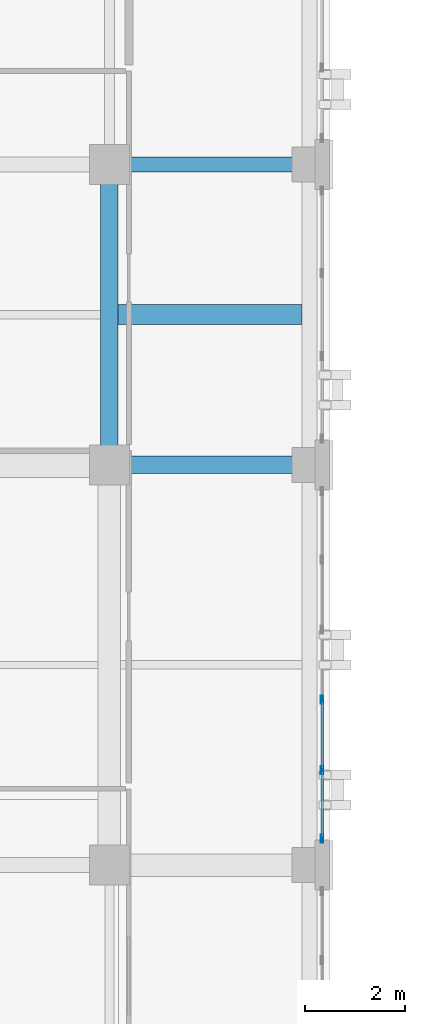
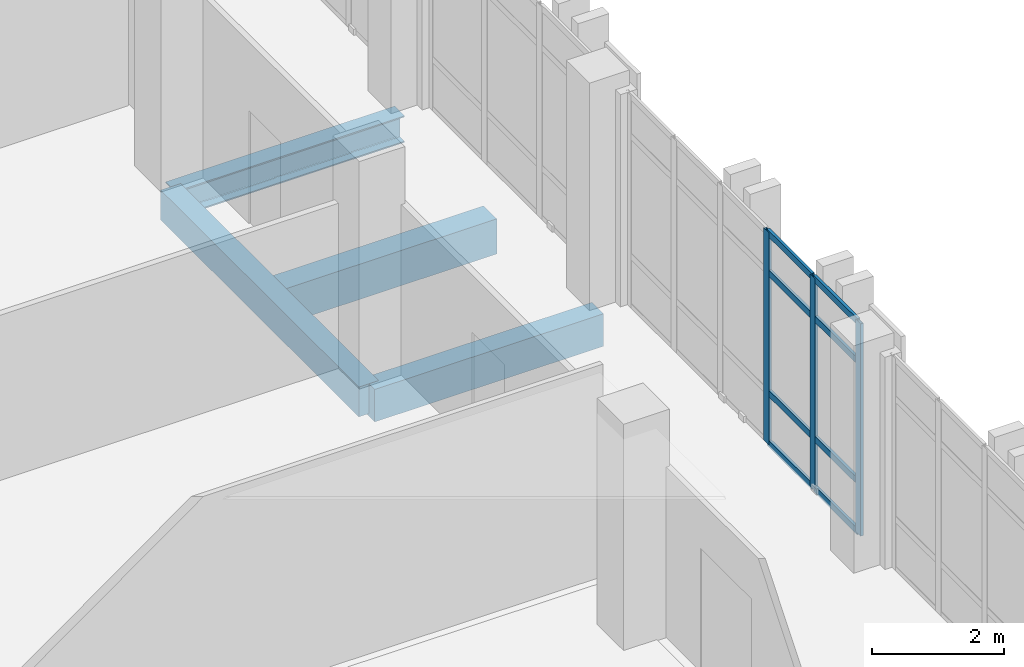
# One storey, part 70 of 165: 11 members, 4 beams, 1 element without a shape of its own.
"""IFC4 building model written with IfcOpenShell, lengths in metres."""

from ifc_helpers import new_model, si_unit, direction, frame, origin, origin_2d, place, context, subcontext, project, spatial, rectangle, hollow_rectangle, i_section, extrude, material, layer, layer_set, material_profile, profile_set, type_object, element, aggregate, save


model = new_model("IFC4")

# Units and contexts
model_context = context("Model", 3, precision=1e-05, world=origin(), true_north=direction((0.0, 1.0)))
body_context = subcontext(model_context, "Body", "Model", "MODEL_VIEW")
ifc_project = project(units=[si_unit("LENGTHUNIT", "METRE"), si_unit("AREAUNIT", "SQUARE_METRE"), si_unit("VOLUMEUNIT", "CUBIC_METRE"), si_unit("PLANEANGLEUNIT", "RADIAN"), si_unit("MASSUNIT", "GRAM", prefix="KILO")], contexts=[model_context])

# Site, building, storey
site_placement = place(None, origin())
site = spatial("IfcSite", under=ifc_project, at=site_placement, CompositionType="ELEMENT")
building_placement = place(site_placement, origin())
building = spatial("IfcBuilding", under=site, at=building_placement, Name="Qalavern Law Courts", CompositionType="ELEMENT")
storey_placement = place(building_placement, frame((0.0, 0.0, 14.39990234375)))
storey = spatial("IfcBuildingStorey", under=building, at=storey_placement, Name="L03", CompositionType="ELEMENT", Elevation=14.39990234375)

# Curtain wall, members
ifc_material_1 = material(Name="Anodised aluminium and insulated glazing", Category="aluminium")
ifc_layer = layer(ifc_material_1, 0.172119140625)
ifc_layer_set = layer_set([ifc_layer], Name="Anodised aluminium and insulated glazing")
curtain_wall_type = type_object("IfcCurtainWallType", Name="ENV-CW-COURT", PredefinedType="USERDEFINED", material=ifc_layer_set)
curtain_wall_placement = place(storey_placement, origin())
curtain_wall = element("IfcCurtainWall", 1, at=curtain_wall_placement, inside=storey, type_object=curtain_wall_type, Name="V3 unitised curtain wall L03 east 4", ObjectType="UNITISED CURTAIN WALL", PredefinedType="USERDEFINED")
ifc_material_2 = material(Name="Anodised aluminium", Category="aluminium")
ifc_material_profile_1 = material_profile(ifc_material_2, hollow_rectangle(XDim=0.048095703125, YDim=0.159912109375, WallThickness=0.00390625, at=origin_2d()), Name="ALU MULLION 48x160")
ifc_profile_set_1 = profile_set([ifc_material_profile_1], Name="Anodised aluminium")
member_type_1 = type_object("IfcMemberType", Name="ENV-CWM-48x160", PredefinedType="MULLION", material=ifc_profile_set_1)
member_1_placement = place(storey_placement, frame((18.652587890625, 65.924072265625, 0.0), z_axis=(0.0, 0.0, 1.0), x_axis=(-1.0, 0.0, 0.0)))
member_1 = element("IfcMember", 2, at=member_1_placement, type_object=member_type_1, Name="CW-03 mullion 1", PredefinedType="MULLION", context=body_context, shape_type="SweptSolid", body=[
    extrude(hollow_rectangle(XDim=0.048095703125, YDim=0.159912109375, WallThickness=0.00390625, at=origin_2d()), origin(), (0.0, 0.0, 1.0), 3.920166015625),
])
member_2_placement = place(storey_placement, frame((18.652587890625, 67.300048828125, 0.0), z_axis=(0.0, 0.0, 1.0), x_axis=(-1.0, 0.0, 0.0)))
member_2 = element("IfcMember", 3, at=member_2_placement, type_object=member_type_1, Name="CW-03 mullion 2", PredefinedType="MULLION", context=body_context, shape_type="SweptSolid", body=[
    extrude(hollow_rectangle(XDim=0.048095703125, YDim=0.159912109375, WallThickness=0.00390625, at=origin_2d()), origin(), (0.0, 0.0, 1.0), 3.920166015625),
])
member_3_placement = place(storey_placement, frame((18.652587890625, 68.699951171875, 0.0), z_axis=(0.0, 0.0, 1.0), x_axis=(-1.0, 0.0, 0.0)))
member_3 = element("IfcMember", 4, at=member_3_placement, type_object=member_type_1, Name="CW-03 mullion 3", PredefinedType="MULLION", context=body_context, shape_type="SweptSolid", body=[
    extrude(hollow_rectangle(XDim=0.048095703125, YDim=0.159912109375, WallThickness=0.00390625, at=origin_2d()), origin(), (0.0, 0.0, 1.0), 3.920166015625),
])
ifc_material_profile_2 = material_profile(ifc_material_2, hollow_rectangle(XDim=0.048095703125, YDim=0.1201171875, WallThickness=0.00390625, at=origin_2d()), Name="ALU TRANSOM 48x120")
ifc_profile_set_2 = profile_set([ifc_material_profile_2], Name="Anodised aluminium")
member_type_2 = type_object("IfcMemberType", Name="ENV-CWT-48x120", PredefinedType="USERDEFINED", material=ifc_profile_set_2)
member_4_placement = place(storey_placement, frame((18.652587890625, 65.947998046875, 0.024169921875), z_axis=(0.0, 1.0, 0.0), x_axis=(-1.0, 0.0, 0.0)))
member_4 = element("IfcMember", 5, at=member_4_placement, type_object=member_type_2, Name="CW-03 transom 1.1", ObjectType="TRANSOM", PredefinedType="USERDEFINED", context=body_context, shape_type="SweptSolid", body=[
    extrude(hollow_rectangle(XDim=0.048095703125, YDim=0.1201171875, WallThickness=0.00390625, at=origin_2d()), origin(), (0.0, 0.0, 1.0), 1.327880859375),
])
member_5_placement = place(storey_placement, frame((18.652587890625, 65.947998046875, 0.9501953125), z_axis=(0.0, 1.0, 0.0), x_axis=(-1.0, 0.0, 0.0)))
member_5 = element("IfcMember", 6, at=member_5_placement, type_object=member_type_2, Name="CW-03 transom 1.2", ObjectType="TRANSOM", PredefinedType="USERDEFINED", context=body_context, shape_type="SweptSolid", body=[
    extrude(hollow_rectangle(XDim=0.048095703125, YDim=0.1201171875, WallThickness=0.00390625, at=origin_2d()), origin(), (0.0, 0.0, 1.0), 1.327880859375),
])
member_6_placement = place(storey_placement, frame((18.652587890625, 65.947998046875, 3.170166015625), z_axis=(0.0, 1.0, 0.0), x_axis=(-1.0, 0.0, 0.0)))
member_6 = element("IfcMember", 7, at=member_6_placement, type_object=member_type_2, Name="CW-03 transom 1.3", ObjectType="TRANSOM", PredefinedType="USERDEFINED", context=body_context, shape_type="SweptSolid", body=[
    extrude(hollow_rectangle(XDim=0.048095703125, YDim=0.1201171875, WallThickness=0.00390625, at=origin_2d()), origin(), (0.0, 0.0, 1.0), 1.327880859375),
])
member_7_placement = place(storey_placement, frame((18.652587890625, 65.947998046875, 3.89599609375), z_axis=(0.0, 1.0, 0.0), x_axis=(-1.0, 0.0, 0.0)))
member_7 = element("IfcMember", 8, at=member_7_placement, type_object=member_type_2, Name="CW-03 transom 1.4", ObjectType="TRANSOM", PredefinedType="USERDEFINED", context=body_context, shape_type="SweptSolid", body=[
    extrude(hollow_rectangle(XDim=0.048095703125, YDim=0.1201171875, WallThickness=0.00390625, at=origin_2d()), origin(), (0.0, 0.0, 1.0), 1.327880859375),
])
member_8_placement = place(storey_placement, frame((18.652587890625, 67.323974609375, 0.024169921875), z_axis=(0.0, 1.0, 0.0), x_axis=(-1.0, 0.0, 0.0)))
member_8 = element("IfcMember", 9, at=member_8_placement, type_object=member_type_2, Name="CW-03 transom 2.1", ObjectType="TRANSOM", PredefinedType="USERDEFINED", context=body_context, shape_type="SweptSolid", body=[
    extrude(hollow_rectangle(XDim=0.048095703125, YDim=0.1201171875, WallThickness=0.00390625, at=origin_2d()), origin(), (0.0, 0.0, 1.0), 1.35205078125),
])
member_9_placement = place(storey_placement, frame((18.652587890625, 67.323974609375, 0.9501953125), z_axis=(0.0, 1.0, 0.0), x_axis=(-1.0, 0.0, 0.0)))
member_9 = element("IfcMember", 10, at=member_9_placement, type_object=member_type_2, Name="CW-03 transom 2.2", ObjectType="TRANSOM", PredefinedType="USERDEFINED", context=body_context, shape_type="SweptSolid", body=[
    extrude(hollow_rectangle(XDim=0.048095703125, YDim=0.1201171875, WallThickness=0.00390625, at=origin_2d()), origin(), (0.0, 0.0, 1.0), 1.35205078125),
])
member_10_placement = place(storey_placement, frame((18.652587890625, 67.323974609375, 3.170166015625), z_axis=(0.0, 1.0, 0.0), x_axis=(-1.0, 0.0, 0.0)))
member_10 = element("IfcMember", 11, at=member_10_placement, type_object=member_type_2, Name="CW-03 transom 2.3", ObjectType="TRANSOM", PredefinedType="USERDEFINED", context=body_context, shape_type="SweptSolid", body=[
    extrude(hollow_rectangle(XDim=0.048095703125, YDim=0.1201171875, WallThickness=0.00390625, at=origin_2d()), origin(), (0.0, 0.0, 1.0), 1.35205078125),
])
member_11_placement = place(storey_placement, frame((18.652587890625, 67.323974609375, 3.89599609375), z_axis=(0.0, 1.0, 0.0), x_axis=(-1.0, 0.0, 0.0)))
member_11 = element("IfcMember", 12, at=member_11_placement, type_object=member_type_2, Name="CW-03 transom 2.4", ObjectType="TRANSOM", PredefinedType="USERDEFINED", context=body_context, shape_type="SweptSolid", body=[
    extrude(hollow_rectangle(XDim=0.048095703125, YDim=0.1201171875, WallThickness=0.00390625, at=origin_2d()), origin(), (0.0, 0.0, 1.0), 1.35205078125),
])
aggregate(curtain_wall, [member_1, member_2, member_3, member_4, member_5, member_6, member_7, member_8, member_9, member_10, member_11])

# Beams
ifc_material_3 = material(Name="Steel S355", Category="steel")
ifc_material_profile_3 = material_profile(ifc_material_3, i_section(OverallWidth=0.300048828125, OverallDepth=0.489990234375, WebThickness=0.011962890625, FlangeThickness=0.02294921875, FilletRadius=0.027099609375, at=origin_2d()), Name="HEA 500")
ifc_profile_set_3 = profile_set([ifc_material_profile_3], Name="Steel S355")
beam_type_1 = type_object("IfcBeamType", Name="STR-BM-HEA500", PredefinedType="BEAM", material=ifc_profile_set_3)
beam_1_placement = place(storey_placement, frame((14.39990234375, 79.39990234375, -0.52978515625), z_axis=(1.0, 0.0, 0.0), x_axis=(0.0, 1.0, 0.0)))
element("IfcBeam", 13, at=beam_1_placement, inside=storey, type_object=beam_type_1, Name="V3 X-beam 6-2 L03", PredefinedType="BEAM", context=body_context, shape_type="SweptSolid", body=[
    extrude(i_section(OverallWidth=0.300048828125, OverallDepth=0.489990234375, WebThickness=0.011962890625, FlangeThickness=0.02294921875, FilletRadius=0.027099609375, at=origin_2d()), origin(), (0.0, 0.0, 1.0), 4.0),
])
ifc_material_4 = material(Name="Concrete C35/45", Category="concrete")
ifc_material_profile_4 = material_profile(ifc_material_4, rectangle(XDim=0.35009765625, YDim=0.550048828125, at=origin_2d()), Name="RC 350x550")
ifc_profile_set_4 = profile_set([ifc_material_profile_4], Name="Concrete C35/45")
beam_type_2 = type_object("IfcBeamType", Name="STR-BM-RC350x550", PredefinedType="BEAM", material=ifc_profile_set_4)
beam_2_placement = place(storey_placement, frame((14.39990234375, 73.39990234375, -0.559814453125), z_axis=(0.0, 1.0, 0.0), x_axis=(-1.0, 0.0, 0.0)))
element("IfcBeam", 14, at=beam_2_placement, inside=storey, type_object=beam_type_2, Name="V3 Y-beam 2-5 L03", PredefinedType="BEAM", context=body_context, shape_type="SweptSolid", body=[
    extrude(rectangle(XDim=0.35009765625, YDim=0.550048828125, at=origin_2d()), origin(), (0.0, 0.0, 1.0), 6.0),
])
ifc_material_profile_5 = material_profile(ifc_material_4, rectangle(XDim=0.35009765625, YDim=0.60009765625, at=origin_2d()), Name="RC 350x600")
ifc_profile_set_5 = profile_set([ifc_material_profile_5], Name="Concrete C35/45")
beam_type_3 = type_object("IfcBeamType", Name="STR-BM-RC350x600", PredefinedType="BEAM", material=ifc_profile_set_5)
beam_3_placement = place(storey_placement, frame((14.39990234375, 73.39990234375, -0.5849609375), z_axis=(1.0, 0.0, 0.0), x_axis=(0.0, 1.0, 0.0)))
element("IfcBeam", 15, at=beam_3_placement, inside=storey, type_object=beam_type_3, Name="V3 X-beam 5-2 L03", PredefinedType="BEAM", context=body_context, shape_type="SweptSolid", body=[
    extrude(rectangle(XDim=0.35009765625, YDim=0.60009765625, at=origin_2d()), origin(), (0.0, 0.0, 1.0), 4.0),
])
ifc_material_profile_6 = material_profile(ifc_material_4, rectangle(XDim=0.39990234375, YDim=0.64990234375, at=origin_2d()), Name="RC 400x650")
ifc_profile_set_6 = profile_set([ifc_material_profile_6], Name="Concrete C35/45")
beam_type_4 = type_object("IfcBeamType", Name="STR-JST-RC400x650", PredefinedType="JOIST", material=ifc_profile_set_6)
beam_4_placement = place(storey_placement, frame((14.572998046875, 76.39990234375, -0.60986328125), z_axis=(1.0, 0.0, 0.0), x_axis=(0.0, 1.0, 0.0)))
element("IfcBeam", 16, at=beam_4_placement, inside=storey, type_object=beam_type_4, Name="V3 secondary joist 2.5.1 L03", PredefinedType="JOIST", context=body_context, shape_type="SweptSolid", body=[
    extrude(rectangle(XDim=0.39990234375, YDim=0.64990234375, at=origin_2d()), origin(), (0.0, 0.0, 1.0), 3.678955078125),
])

save(model, "model.ifc")
